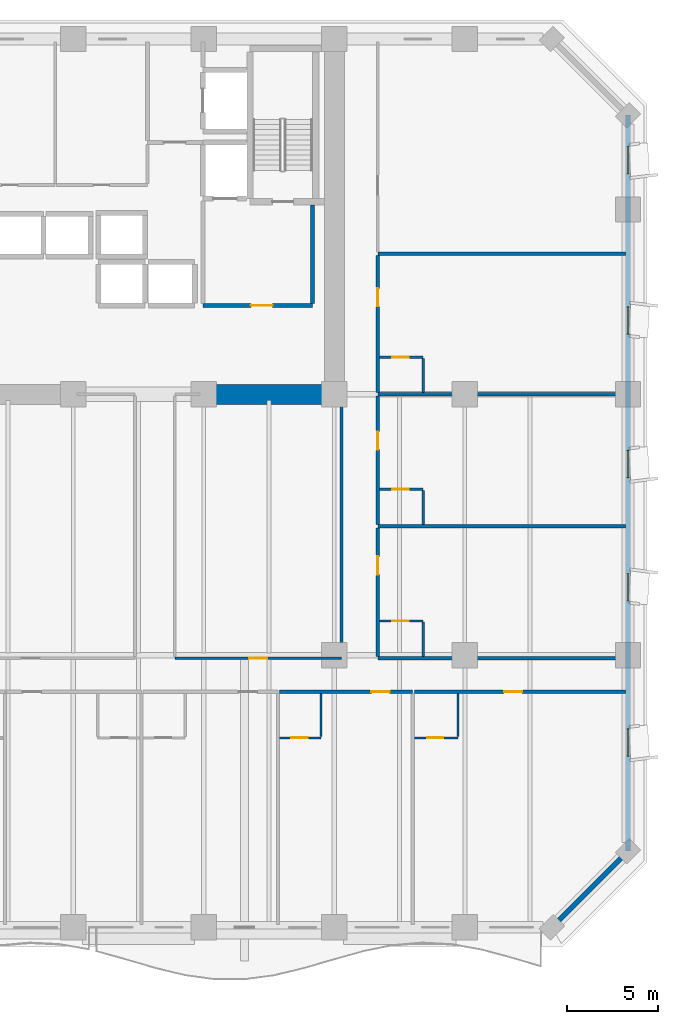
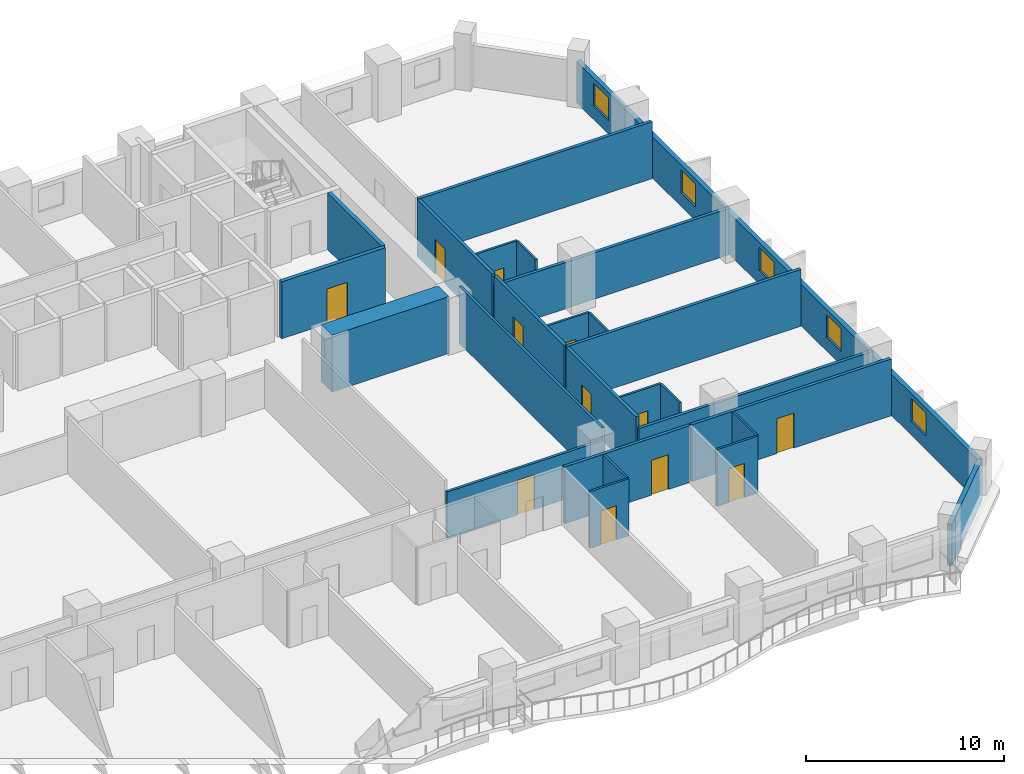
# One storey, part 10 of 15: 26 walls, 12 doors, 5 windows, 17 openings.
"""IFC4 building model written with IfcOpenShell, lengths in metres."""

from ifc_helpers import new_model, si_unit, direction, frame, frame_2d, origin, place, context, subcontext, project, spatial, rectangle, extrude, material, layer, layer_set, type_object, element, fill, save


model = new_model("IFC4")

# Units and contexts
model_context = context("Model", 3, precision=1e-05, world=origin(), true_north=direction((0.0, 1.0)))
body_context = subcontext(model_context, "Body", "Model", "MODEL_VIEW")
ifc_project = project(units=[si_unit("LENGTHUNIT", "METRE"), si_unit("AREAUNIT", "SQUARE_METRE"), si_unit("VOLUMEUNIT", "CUBIC_METRE"), si_unit("PLANEANGLEUNIT", "RADIAN"), si_unit("MASSUNIT", "GRAM", prefix="KILO")], contexts=[model_context])

# Site, building, storey
site_placement = place(None, origin())
site = spatial("IfcSite", under=ifc_project, at=site_placement, CompositionType="ELEMENT")
building_placement = place(site_placement, origin())
building = spatial("IfcBuilding", under=site, at=building_placement, Name="Kaelvorn Grand Hotel", CompositionType="ELEMENT")
storey_placement = place(building_placement, frame((0.0, 0.0, 65.14990234375)))
storey = spatial("IfcBuildingStorey", under=building, at=storey_placement, Name="L14", CompositionType="ELEMENT", Elevation=65.14990234375)

# Walls
ifc_material_1 = material(Name="Concrete C80/95", Category="concrete")
ifc_layer_1 = layer(ifc_material_1, 1.10009765625)
ifc_layer_set_1 = layer_set([ifc_layer_1], Name="Concrete C80/95")
wall_type_1 = type_object("IfcWallType", Name="WL-CORE-1100-C80", PredefinedType="SHEAR", material=ifc_layer_set_1)
wall_1_placement = place(storey_placement, frame((60.39990234375, 29.39990234375, 0.0), z_axis=(0.0, 0.0, 1.0), x_axis=(1.0, 0.0, 0.0)))
element("IfcWall", 1, at=wall_1_placement, inside=storey, type_object=wall_type_1, Name="L14 Rear-Core Coupled Shear Pier S4", PredefinedType="SHEAR", context=body_context, shape_type="SweptSolid", body=[
    extrude(rectangle(XDim=6.84521484375, YDim=1.10009765625, at=frame_2d((3.422607421875, 0.0))), origin(), (0.0, 0.0, 1.0), 3.510009765625),
])
ifc_material_2 = material(Name="Concrete C40/50", Category="concrete")
ifc_layer_2 = layer(ifc_material_2, 0.260009765625)
ifc_layer_set_2 = layer_set([ifc_layer_2], Name="Concrete C40/50")
wall_type_2 = type_object("IfcWallType", Name="WL-EXT-260-C40", PredefinedType="SOLIDWALL", material=ifc_layer_set_2)
wall_2_placement = place(storey_placement, frame((79.800048828125, 0.0, 0.0), z_axis=(0.0, 0.0, 1.0), x_axis=(0.707106781187, 0.707106781187, 0.0)))
element("IfcWall", 2, at=wall_2_placement, inside=storey, type_object=wall_type_2, Name="L14 Exterior Architectural Concrete Wall 02", PredefinedType="SOLIDWALL", context=body_context, shape_type="SweptSolid", body=[
    extrude(rectangle(XDim=5.939697265625, YDim=0.260009765625, at=frame_2d((2.9697265625, 0.0))), origin(), (0.0, 0.0, 1.0), 2.56005859375),
])

# Wall, openings, windows
wall_3_placement = place(storey_placement, frame((84.0, 4.199951171875, 0.0), z_axis=(0.0, 0.0, 1.0), x_axis=(0.0, 1.0, 0.0)))
wall_3 = element("IfcWall", 3, at=wall_3_placement, inside=storey, type_object=wall_type_2, Name="L14 Exterior Architectural Concrete Wall 03", PredefinedType="SOLIDWALL", context=body_context, shape_type="SweptSolid", body=[
    extrude(rectangle(XDim=40.60009765625, YDim=0.260009765625, at=frame_2d((20.300048828125, 0.0))), origin(), (0.0, 0.0, 1.0), 2.56005859375),
])
opening_1_placement = place(wall_3_placement, frame((5.25, 0.0, 0.85009765625)))
opening_1 = element("IfcOpeningElement", 4, at=opening_1_placement, cuts=wall_3, Name="Opening W10", PredefinedType="OPENING", context=body_context, shape_type="SweptSolid", body=[
    extrude(rectangle(XDim=1.5, YDim=1.39990234375, at=frame_2d((0.75, 0.699951171875))), frame((0.0, 0.14013671875, 0.0), z_axis=(0.0, -1.0, 0.0), x_axis=(1.0, 0.0, 0.0)), (0.0, 0.0, 1.0), 0.280029296875),
])
opening_2_placement = place(wall_3_placement, frame((13.81005859375, 0.0, 0.85009765625)))
opening_2 = element("IfcOpeningElement", 5, at=opening_2_placement, cuts=wall_3, Name="Opening W10", PredefinedType="OPENING", context=body_context, shape_type="SweptSolid", body=[
    extrude(rectangle(XDim=1.5, YDim=1.39990234375, at=frame_2d((0.75, 0.699951171875))), frame((0.0, 0.14013671875, 0.0), z_axis=(0.0, -1.0, 0.0), x_axis=(1.0, 0.0, 0.0)), (0.0, 0.0, 1.0), 0.280029296875),
])
opening_3_placement = place(wall_3_placement, frame((20.610107421875, 0.0, 0.85009765625)))
opening_3 = element("IfcOpeningElement", 6, at=opening_3_placement, cuts=wall_3, Name="Opening W10", PredefinedType="OPENING", context=body_context, shape_type="SweptSolid", body=[
    extrude(rectangle(XDim=1.5, YDim=1.39990234375, at=frame_2d((0.75, 0.699951171875))), frame((0.0, 0.14013671875, 0.0), z_axis=(0.0, -1.0, 0.0), x_axis=(1.0, 0.0, 0.0)), (0.0, 0.0, 1.0), 0.280029296875),
])
opening_4_placement = place(wall_3_placement, frame((28.52490234375, 0.0, 0.85009765625)))
opening_4 = element("IfcOpeningElement", 7, at=opening_4_placement, cuts=wall_3, Name="Opening W10", PredefinedType="OPENING", context=body_context, shape_type="SweptSolid", body=[
    extrude(rectangle(XDim=1.5, YDim=1.39990234375, at=frame_2d((0.75, 0.699951171875))), frame((0.0, 0.14013671875, 0.0), z_axis=(0.0, -1.0, 0.0), x_axis=(1.0, 0.0, 0.0)), (0.0, 0.0, 1.0), 0.280029296875),
])
opening_5_placement = place(wall_3_placement, frame((37.364990234375, 0.0, 0.85009765625)))
opening_5 = element("IfcOpeningElement", 8, at=opening_5_placement, cuts=wall_3, Name="Opening W10", PredefinedType="OPENING", context=body_context, shape_type="SweptSolid", body=[
    extrude(rectangle(XDim=1.5, YDim=1.39990234375, at=frame_2d((0.75, 0.699951171875))), frame((0.0, 0.14013671875, 0.0), z_axis=(0.0, -1.0, 0.0), x_axis=(1.0, 0.0, 0.0)), (0.0, 0.0, 1.0), 0.280029296875),
])
ifc_material_3 = material(Name="Laminated Low-E Glass", Category="glass")
window_type = type_object("IfcWindowType", Name="WIN-COR-1500x1400", PartitioningType="SINGLE_PANEL", PredefinedType="WINDOW", material=ifc_material_3)
window_1_placement = place(opening_1_placement, origin())
window_1 = element("IfcWindow", 9, at=window_1_placement, inside=storey, type_object=window_type, Name="L14 E Wing Tilted-Frame Ribbon Window E01", OverallHeight=1.39990234375, OverallWidth=1.5, PartitioningType="SINGLE_PANEL", PredefinedType="WINDOW", context=body_context, shape_type="SweptSolid", body=[
    extrude(rectangle(XDim=1.5, YDim=1.39990234375, at=frame_2d((0.75, 0.699951171875))), frame((0.0, 0.030029296875, 0.0), z_axis=(0.0, -1.0, 0.0), x_axis=(1.0, 0.0, 0.0)), (0.0, 0.0, 1.0), 0.06005859375),
])
fill(opening_1, window_1)
window_2_placement = place(opening_2_placement, origin())
window_2 = element("IfcWindow", 10, at=window_2_placement, inside=storey, type_object=window_type, Name="L14 E Wing Tilted-Frame Ribbon Window E02", OverallHeight=1.39990234375, OverallWidth=1.5, PartitioningType="SINGLE_PANEL", PredefinedType="WINDOW", context=body_context, shape_type="SweptSolid", body=[
    extrude(rectangle(XDim=1.5, YDim=1.39990234375, at=frame_2d((0.75, 0.699951171875))), frame((0.0, 0.030029296875, 0.0), z_axis=(0.0, -1.0, 0.0), x_axis=(1.0, 0.0, 0.0)), (0.0, 0.0, 1.0), 0.06005859375),
])
fill(opening_2, window_2)
window_3_placement = place(opening_3_placement, origin())
window_3 = element("IfcWindow", 11, at=window_3_placement, inside=storey, type_object=window_type, Name="L14 E Wing Tilted-Frame Ribbon Window E03", OverallHeight=1.39990234375, OverallWidth=1.5, PartitioningType="SINGLE_PANEL", PredefinedType="WINDOW", context=body_context, shape_type="SweptSolid", body=[
    extrude(rectangle(XDim=1.5, YDim=1.39990234375, at=frame_2d((0.75, 0.699951171875))), frame((0.0, 0.030029296875, 0.0), z_axis=(0.0, -1.0, 0.0), x_axis=(1.0, 0.0, 0.0)), (0.0, 0.0, 1.0), 0.06005859375),
])
fill(opening_3, window_3)
window_4_placement = place(opening_4_placement, origin())
window_4 = element("IfcWindow", 12, at=window_4_placement, inside=storey, type_object=window_type, Name="L14 E Wing Tilted-Frame Ribbon Window E04", OverallHeight=1.39990234375, OverallWidth=1.5, PartitioningType="SINGLE_PANEL", PredefinedType="WINDOW", context=body_context, shape_type="SweptSolid", body=[
    extrude(rectangle(XDim=1.5, YDim=1.39990234375, at=frame_2d((0.75, 0.699951171875))), frame((0.0, 0.030029296875, 0.0), z_axis=(0.0, -1.0, 0.0), x_axis=(1.0, 0.0, 0.0)), (0.0, 0.0, 1.0), 0.06005859375),
])
fill(opening_4, window_4)
window_5_placement = place(opening_5_placement, origin())
window_5 = element("IfcWindow", 13, at=window_5_placement, inside=storey, type_object=window_type, Name="L14 E Wing Tilted-Frame Ribbon Window E05", OverallHeight=1.39990234375, OverallWidth=1.5, PartitioningType="SINGLE_PANEL", PredefinedType="WINDOW", context=body_context, shape_type="SweptSolid", body=[
    extrude(rectangle(XDim=1.5, YDim=1.39990234375, at=frame_2d((0.75, 0.699951171875))), frame((0.0, 0.030029296875, 0.0), z_axis=(0.0, -1.0, 0.0), x_axis=(1.0, 0.0, 0.0)), (0.0, 0.0, 1.0), 0.06005859375),
])
fill(opening_5, window_5)

# Wall, opening, door
ifc_material_4 = material(Name="Moisture-Resistant Tile & Stud Board")
ifc_layer_3 = layer(ifc_material_4, 0.125)
ifc_layer_set_3 = layer_set([ifc_layer_3], Name="Moisture-Resistant Tile & Stud Board")
wall_type_3 = type_object("IfcWallType", Name="WL-PART-125-WET", PredefinedType="PARTITIONING", material=ifc_layer_set_3)
wall_4_placement = place(storey_placement, frame((64.78564453125, 10.449951171875, 0.0), z_axis=(0.0, 0.0, 1.0), x_axis=(1.0, 0.0, 0.0)))
wall_4 = element("IfcWall", 14, at=wall_4_placement, inside=storey, type_object=wall_type_3, Name="L14 En-suite Bathroom L14-09 S Partition", PredefinedType="PARTITIONING", context=body_context, shape_type="SweptSolid", body=[
    extrude(rectangle(XDim=2.284912109375, YDim=0.125, at=frame_2d((1.142578125, 0.0))), origin(), (0.0, 0.0, 1.0), 3.510009765625),
])
opening_6_placement = place(wall_4_placement, frame((0.64990234375, 0.0, 0.0)))
opening_6 = element("IfcOpeningElement", 15, at=opening_6_placement, cuts=wall_4, Name="Opening DI4", PredefinedType="OPENING", context=body_context, shape_type="SweptSolid", body=[
    extrude(rectangle(XDim=0.89990234375, YDim=2.10009765625, at=frame_2d((0.449951171875, 1.050048828125))), frame((0.0, 0.072509765625, 0.0), z_axis=(0.0, -1.0, 0.0), x_axis=(1.0, 0.0, 0.0)), (0.0, 0.0, 1.0), 0.14501953125),
])
ifc_material_5 = material(Name="Timber Veneer Leaf", Category="wood")
door_type_1 = type_object("IfcDoorType", Name="DR-INT-BATH-900x2100", OperationType="NOTDEFINED", PredefinedType="DOOR", material=ifc_material_5)
door_1_placement = place(opening_6_placement, origin())
door_1 = element("IfcDoor", 16, at=door_1_placement, inside=storey, type_object=door_type_1, Name="L14 En-suite Bathroom L14-09 Door", OperationType="SINGLE_SWING_RIGHT", OverallHeight=2.10009765625, OverallWidth=0.89990234375, PredefinedType="DOOR", context=body_context, shape_type="SweptSolid", body=[
    extrude(rectangle(XDim=0.89990234375, YDim=2.10009765625, at=frame_2d((0.449951171875, 1.050048828125))), frame((0.0, 0.02490234375, 0.0), z_axis=(0.0, -1.0, 0.0), x_axis=(1.0, 0.0, 0.0)), (0.0, 0.0, 1.0), 0.050048828125),
])
fill(opening_6, door_1)

# Wall
wall_5_placement = place(storey_placement, frame((67.070556640625, 10.517578125, 0.0), z_axis=(0.0, 0.0, 1.0), x_axis=(0.0, 1.0, 0.0)))
element("IfcWall", 17, at=wall_5_placement, inside=storey, type_object=wall_type_3, Name="L14 En-suite Bathroom L14-09 E Partition", PredefinedType="PARTITIONING", context=body_context, shape_type="SweptSolid", body=[
    extrude(rectangle(XDim=2.387451171875, YDim=0.125, at=frame_2d((1.19384765625, 0.0))), origin(), (0.0, 0.0, 1.0), 3.510009765625),
])

# Wall, opening, door
wall_6_placement = place(storey_placement, frame((72.21533203125, 10.449951171875, 0.0), z_axis=(0.0, 0.0, 1.0), x_axis=(1.0, 0.0, 0.0)))
wall_6 = element("IfcWall", 18, at=wall_6_placement, inside=storey, type_object=wall_type_3, Name="L14 En-suite Bathroom L14-10 S Partition", PredefinedType="PARTITIONING", context=body_context, shape_type="SweptSolid", body=[
    extrude(rectangle(XDim=2.405029296875, YDim=0.125, at=frame_2d((1.20263671875, 0.0))), origin(), (0.0, 0.0, 1.0), 3.510009765625),
])
opening_7_placement = place(wall_6_placement, frame((0.705078125, 0.0, 0.0)))
opening_7 = element("IfcOpeningElement", 19, at=opening_7_placement, cuts=wall_6, Name="Opening DI4", PredefinedType="OPENING", context=body_context, shape_type="SweptSolid", body=[
    extrude(rectangle(XDim=0.89990234375, YDim=2.10009765625, at=frame_2d((0.449951171875, 1.050048828125))), frame((0.0, 0.072509765625, 0.0), z_axis=(0.0, -1.0, 0.0), x_axis=(1.0, 0.0, 0.0)), (0.0, 0.0, 1.0), 0.14501953125),
])
door_2_placement = place(opening_7_placement, origin())
door_2 = element("IfcDoor", 20, at=door_2_placement, inside=storey, type_object=door_type_1, Name="L14 En-suite Bathroom L14-10 Door", OperationType="SINGLE_SWING_RIGHT", OverallHeight=2.10009765625, OverallWidth=0.89990234375, PredefinedType="DOOR", context=body_context, shape_type="SweptSolid", body=[
    extrude(rectangle(XDim=0.89990234375, YDim=2.10009765625, at=frame_2d((0.449951171875, 1.050048828125))), frame((0.0, 0.02490234375, 0.0), z_axis=(0.0, -1.0, 0.0), x_axis=(1.0, 0.0, 0.0)), (0.0, 0.0, 1.0), 0.050048828125),
])
fill(opening_7, door_2)

# Wall
wall_7_placement = place(storey_placement, frame((74.620361328125, 10.517578125, 0.0), z_axis=(0.0, 0.0, 1.0), x_axis=(0.0, 1.0, 0.0)))
element("IfcWall", 21, at=wall_7_placement, inside=storey, type_object=wall_type_3, Name="L14 En-suite Bathroom L14-10 E Partition", PredefinedType="PARTITIONING", context=body_context, shape_type="SweptSolid", body=[
    extrude(rectangle(XDim=2.387451171875, YDim=0.125, at=frame_2d((1.19384765625, 0.0))), origin(), (0.0, 0.0, 1.0), 3.510009765625),
])

# Wall, opening, door
wall_8_placement = place(storey_placement, frame((70.294921875, 16.89990234375, 0.0), z_axis=(0.0, 0.0, 1.0), x_axis=(1.0, 0.0, 0.0)))
wall_8 = element("IfcWall", 22, at=wall_8_placement, inside=storey, type_object=wall_type_3, Name="L14 En-suite Bathroom L14-13 N Partition", PredefinedType="PARTITIONING", context=body_context, shape_type="SweptSolid", body=[
    extrude(rectangle(XDim=2.405029296875, YDim=0.125, at=frame_2d((1.20263671875, 0.0))), origin(), (0.0, 0.0, 1.0), 3.510009765625),
])
opening_8_placement = place(wall_8_placement, frame((0.705078125, 0.0, 0.0)))
opening_8 = element("IfcOpeningElement", 23, at=opening_8_placement, cuts=wall_8, Name="Opening DI4", PredefinedType="OPENING", context=body_context, shape_type="SweptSolid", body=[
    extrude(rectangle(XDim=0.89990234375, YDim=2.10009765625, at=frame_2d((0.449951171875, 1.050048828125))), frame((0.0, 0.072509765625, 0.0), z_axis=(0.0, -1.0, 0.0), x_axis=(1.0, 0.0, 0.0)), (0.0, 0.0, 1.0), 0.14501953125),
])
door_3_placement = place(opening_8_placement, origin())
door_3 = element("IfcDoor", 24, at=door_3_placement, inside=storey, type_object=door_type_1, Name="L14 En-suite Bathroom L14-13 Door", OperationType="SINGLE_SWING_LEFT", OverallHeight=2.10009765625, OverallWidth=0.89990234375, PredefinedType="DOOR", context=body_context, shape_type="SweptSolid", body=[
    extrude(rectangle(XDim=0.89990234375, YDim=2.10009765625, at=frame_2d((0.449951171875, 1.050048828125))), frame((0.0, 0.02490234375, 0.0), z_axis=(0.0, -1.0, 0.0), x_axis=(1.0, 0.0, 0.0)), (0.0, 0.0, 1.0), 0.050048828125),
])
fill(opening_8, door_3)

# Wall
wall_9_placement = place(storey_placement, frame((72.699951171875, 14.945068359375, 0.0), z_axis=(0.0, 0.0, 1.0), x_axis=(0.0, 1.0, 0.0)))
element("IfcWall", 25, at=wall_9_placement, inside=storey, type_object=wall_type_3, Name="L14 En-suite Bathroom L14-13 E Partition", PredefinedType="PARTITIONING", context=body_context, shape_type="SweptSolid", body=[
    extrude(rectangle(XDim=1.887451171875, YDim=0.125, at=frame_2d((0.94384765625, 0.0))), origin(), (0.0, 0.0, 1.0), 3.510009765625),
])

# Wall, opening, door
wall_10_placement = place(storey_placement, frame((70.294921875, 24.169921875, 0.0), z_axis=(0.0, 0.0, 1.0), x_axis=(1.0, 0.0, 0.0)))
wall_10 = element("IfcWall", 26, at=wall_10_placement, inside=storey, type_object=wall_type_3, Name="L14 En-suite Bathroom L14-14 N Partition", PredefinedType="PARTITIONING", context=body_context, shape_type="SweptSolid", body=[
    extrude(rectangle(XDim=2.405029296875, YDim=0.125, at=frame_2d((1.20263671875, 0.0))), origin(), (0.0, 0.0, 1.0), 3.510009765625),
])
opening_9_placement = place(wall_10_placement, frame((0.705078125, 0.0, 0.0)))
opening_9 = element("IfcOpeningElement", 27, at=opening_9_placement, cuts=wall_10, Name="Opening DI4", PredefinedType="OPENING", context=body_context, shape_type="SweptSolid", body=[
    extrude(rectangle(XDim=0.89990234375, YDim=2.10009765625, at=frame_2d((0.449951171875, 1.050048828125))), frame((0.0, 0.072509765625, 0.0), z_axis=(0.0, -1.0, 0.0), x_axis=(1.0, 0.0, 0.0)), (0.0, 0.0, 1.0), 0.14501953125),
])
door_4_placement = place(opening_9_placement, origin())
door_4 = element("IfcDoor", 28, at=door_4_placement, inside=storey, type_object=door_type_1, Name="L14 En-suite Bathroom L14-14 Door", OperationType="SINGLE_SWING_LEFT", OverallHeight=2.10009765625, OverallWidth=0.89990234375, PredefinedType="DOOR", context=body_context, shape_type="SweptSolid", body=[
    extrude(rectangle(XDim=0.89990234375, YDim=2.10009765625, at=frame_2d((0.449951171875, 1.050048828125))), frame((0.0, 0.02490234375, 0.0), z_axis=(0.0, -1.0, 0.0), x_axis=(1.0, 0.0, 0.0)), (0.0, 0.0, 1.0), 0.050048828125),
])
fill(opening_9, door_4)

# Wall
wall_11_placement = place(storey_placement, frame((72.699951171875, 22.215087890625, 0.0), z_axis=(0.0, 0.0, 1.0), x_axis=(0.0, 1.0, 0.0)))
element("IfcWall", 29, at=wall_11_placement, inside=storey, type_object=wall_type_3, Name="L14 En-suite Bathroom L14-14 E Partition", PredefinedType="PARTITIONING", context=body_context, shape_type="SweptSolid", body=[
    extrude(rectangle(XDim=1.887451171875, YDim=0.125, at=frame_2d((0.94384765625, 0.0))), origin(), (0.0, 0.0, 1.0), 3.510009765625),
])

# Wall, opening, door
wall_12_placement = place(storey_placement, frame((70.294921875, 31.449951171875, 0.0), z_axis=(0.0, 0.0, 1.0), x_axis=(1.0, 0.0, 0.0)))
wall_12 = element("IfcWall", 30, at=wall_12_placement, inside=storey, type_object=wall_type_3, Name="L14 En-suite Bathroom L14-16 N Partition", PredefinedType="PARTITIONING", context=body_context, shape_type="SweptSolid", body=[
    extrude(rectangle(XDim=2.405029296875, YDim=0.125, at=frame_2d((1.20263671875, 0.0))), origin(), (0.0, 0.0, 1.0), 3.510009765625),
])
opening_10_placement = place(wall_12_placement, frame((0.705078125, 0.0, 0.0)))
opening_10 = element("IfcOpeningElement", 31, at=opening_10_placement, cuts=wall_12, Name="Opening DI4", PredefinedType="OPENING", context=body_context, shape_type="SweptSolid", body=[
    extrude(rectangle(XDim=0.89990234375, YDim=2.10009765625, at=frame_2d((0.449951171875, 1.050048828125))), frame((0.0, 0.072509765625, 0.0), z_axis=(0.0, -1.0, 0.0), x_axis=(1.0, 0.0, 0.0)), (0.0, 0.0, 1.0), 0.14501953125),
])
door_5_placement = place(opening_10_placement, origin())
door_5 = element("IfcDoor", 32, at=door_5_placement, inside=storey, type_object=door_type_1, Name="L14 En-suite Bathroom L14-16 Door", OperationType="SINGLE_SWING_RIGHT", OverallHeight=2.10009765625, OverallWidth=0.89990234375, PredefinedType="DOOR", context=body_context, shape_type="SweptSolid", body=[
    extrude(rectangle(XDim=0.89990234375, YDim=2.10009765625, at=frame_2d((0.449951171875, 1.050048828125))), frame((0.0, 0.02490234375, 0.0), z_axis=(0.0, -1.0, 0.0), x_axis=(1.0, 0.0, 0.0)), (0.0, 0.0, 1.0), 0.050048828125),
])
fill(opening_10, door_5)

# Wall
wall_13_placement = place(storey_placement, frame((72.699951171875, 29.4951171875, 0.0), z_axis=(0.0, 0.0, 1.0), x_axis=(0.0, 1.0, 0.0)))
element("IfcWall", 33, at=wall_13_placement, inside=storey, type_object=wall_type_3, Name="L14 En-suite Bathroom L14-16 E Partition", PredefinedType="PARTITIONING", context=body_context, shape_type="SweptSolid", body=[
    extrude(rectangle(XDim=1.887451171875, YDim=0.125, at=frame_2d((0.94384765625, 0.0))), origin(), (0.0, 0.0, 1.0), 3.510009765625),
])

# Wall, opening, door
ifc_material_6 = material(Name="Acoustic Gypsum & Stud Partition")
ifc_layer_4 = layer(ifc_material_6, 0.14990234375)
ifc_layer_set_4 = layer_set([ifc_layer_4], Name="Acoustic Gypsum & Stud Partition")
wall_type_4 = type_object("IfcWallType", Name="WL-PART-150-EI60", PredefinedType="PARTITIONING", material=ifc_layer_set_4)
wall_14_placement = place(storey_placement, frame((59.0, 14.85009765625, 0.0), z_axis=(0.0, 0.0, 1.0), x_axis=(1.0, 0.0, 0.0)))
wall_14 = element("IfcWall", 34, at=wall_14_placement, inside=storey, type_object=wall_type_4, Name="L14 Executive Meeting Room S Partition", PredefinedType="PARTITIONING", context=body_context, shape_type="SweptSolid", body=[
    extrude(rectangle(XDim=9.199951171875, YDim=0.14990234375, at=frame_2d((4.60009765625, 0.0))), origin(), (0.0, 0.0, 1.0), 2.860107421875),
])
opening_11_placement = place(wall_14_placement, frame((4.10009765625, 0.0, 0.0)))
opening_11 = element("IfcOpeningElement", 35, at=opening_11_placement, cuts=wall_14, Name="Opening DI3", PredefinedType="OPENING", context=body_context, shape_type="SweptSolid", body=[
    extrude(rectangle(XDim=1.0, YDim=2.14990234375, at=frame_2d((0.5, 1.074951171875))), frame((0.0, 0.0849609375, 0.0), z_axis=(0.0, -1.0, 0.0), x_axis=(1.0, 0.0, 0.0)), (0.0, 0.0, 1.0), 0.169921875),
])
ifc_material_7 = material(Name="Timber Veneer Fire Leaf", Category="wood")
door_type_2 = type_object("IfcDoorType", Name="DR-INT-GUEST-1000x2150", OperationType="NOTDEFINED", PredefinedType="DOOR", material=ifc_material_7)
door_6_placement = place(opening_11_placement, origin())
door_6 = element("IfcDoor", 36, at=door_6_placement, inside=storey, type_object=door_type_2, Name="L14 Executive Meeting Room Door", OperationType="SINGLE_SWING_LEFT", OverallHeight=2.14990234375, OverallWidth=1.0, PredefinedType="DOOR", context=body_context, shape_type="SweptSolid", body=[
    extrude(rectangle(XDim=1.0, YDim=2.14990234375, at=frame_2d((0.5, 1.074951171875))), frame((0.0, 0.02490234375, 0.0), z_axis=(0.0, -1.0, 0.0), x_axis=(1.0, 0.0, 0.0)), (0.0, 0.0, 1.0), 0.050048828125),
])
fill(opening_11, door_6)

# Wall
wall_15_placement = place(storey_placement, frame((68.199951171875, 14.929931640625, 0.0), z_axis=(0.0, 0.0, 1.0), x_axis=(0.0, 1.0, 0.0)))
element("IfcWall", 37, at=wall_15_placement, inside=storey, type_object=wall_type_4, Name="L14 Executive Meeting Room E Partition", PredefinedType="PARTITIONING", context=body_context, shape_type="SweptSolid", body=[
    extrude(rectangle(XDim=14.4599609375, YDim=0.14990234375, at=frame_2d((7.22998046875, 0.0))), origin(), (0.0, 0.0, 1.0), 3.510009765625),
])

# Wall, opening, door
ifc_layer_5 = layer(ifc_material_6, 0.179931640625)
ifc_layer_set_5 = layer_set([ifc_layer_5], Name="Acoustic Gypsum & Stud Partition")
wall_type_5 = type_object("IfcWallType", Name="WL-PART-180-EI60", PredefinedType="PARTITIONING", material=ifc_layer_set_5)
wall_16_placement = place(storey_placement, frame((64.78564453125, 13.0, 0.0), z_axis=(0.0, 0.0, 1.0), x_axis=(1.0, 0.0, 0.0)))
wall_16 = element("IfcWall", 38, at=wall_16_placement, inside=storey, type_object=wall_type_5, Name="L14 Deluxe Panoramic Suite L14-09 N Partition", PredefinedType="PARTITIONING", context=body_context, shape_type="SweptSolid", body=[
    extrude(rectangle(XDim=7.334716796875, YDim=0.179931640625, at=frame_2d((3.66748046875, 0.0))), origin(), (0.0, 0.0, 1.0), 3.510009765625),
])
opening_12_placement = place(wall_16_placement, frame((5.064453125, 0.0, 0.0)))
opening_12 = element("IfcOpeningElement", 39, at=opening_12_placement, cuts=wall_16, Name="Opening DI3", PredefinedType="OPENING", context=body_context, shape_type="SweptSolid", body=[
    extrude(rectangle(XDim=1.0, YDim=2.14990234375, at=frame_2d((0.5, 1.074951171875))), frame((0.0, 0.10009765625, 0.0), z_axis=(0.0, -1.0, 0.0), x_axis=(1.0, 0.0, 0.0)), (0.0, 0.0, 1.0), 0.199951171875),
])
door_7_placement = place(opening_12_placement, origin())
door_7 = element("IfcDoor", 40, at=door_7_placement, inside=storey, type_object=door_type_2, Name="L14 Deluxe Panoramic Suite L14-09 Door", OperationType="SINGLE_SWING_LEFT", OverallHeight=2.14990234375, OverallWidth=1.0, PredefinedType="DOOR", context=body_context, shape_type="SweptSolid", body=[
    extrude(rectangle(XDim=1.0, YDim=2.14990234375, at=frame_2d((0.5, 1.074951171875))), frame((0.0, 0.02490234375, 0.0), z_axis=(0.0, -1.0, 0.0), x_axis=(1.0, 0.0, 0.0)), (0.0, 0.0, 1.0), 0.050048828125),
])
fill(opening_12, door_7)

wall_17_placement = place(storey_placement, frame((72.21533203125, 13.0, 0.0), z_axis=(0.0, 0.0, 1.0), x_axis=(1.0, 0.0, 0.0)))
wall_17 = element("IfcWall", 41, at=wall_17_placement, inside=storey, type_object=wall_type_5, Name="L14 Deluxe Panoramic Suite L14-10 N Partition", PredefinedType="PARTITIONING", context=body_context, shape_type="SweptSolid", body=[
    extrude(rectangle(XDim=11.634765625, YDim=0.179931640625, at=frame_2d((5.8173828125, 0.0))), origin(), (0.0, 0.0, 1.0), 3.510009765625),
])
opening_13_placement = place(wall_17_placement, frame((4.94970703125, 0.0, 0.0)))
opening_13 = element("IfcOpeningElement", 42, at=opening_13_placement, cuts=wall_17, Name="Opening DI3", PredefinedType="OPENING", context=body_context, shape_type="SweptSolid", body=[
    extrude(rectangle(XDim=1.0, YDim=2.14990234375, at=frame_2d((0.5, 1.074951171875))), frame((0.0, 0.10009765625, 0.0), z_axis=(0.0, -1.0, 0.0), x_axis=(1.0, 0.0, 0.0)), (0.0, 0.0, 1.0), 0.199951171875),
])
door_8_placement = place(opening_13_placement, origin())
door_8 = element("IfcDoor", 43, at=door_8_placement, inside=storey, type_object=door_type_2, Name="L14 Deluxe Panoramic Suite L14-10 Door", OperationType="SINGLE_SWING_LEFT", OverallHeight=2.14990234375, OverallWidth=1.0, PredefinedType="DOOR", context=body_context, shape_type="SweptSolid", body=[
    extrude(rectangle(XDim=1.0, YDim=2.14990234375, at=frame_2d((0.5, 1.074951171875))), frame((0.0, 0.02490234375, 0.0), z_axis=(0.0, -1.0, 0.0), x_axis=(1.0, 0.0, 0.0)), (0.0, 0.0, 1.0), 0.050048828125),
])
fill(opening_13, door_8)

# Walls
wall_18_placement = place(storey_placement, frame((70.199951171875, 14.85009765625, 0.0), z_axis=(0.0, 0.0, 1.0), x_axis=(1.0, 0.0, 0.0)))
element("IfcWall", 44, at=wall_18_placement, inside=storey, type_object=wall_type_5, Name="L14 East Wing Panoramic Suite L14-13 S Partition", PredefinedType="PARTITIONING", context=body_context, shape_type="SweptSolid", body=[
    extrude(rectangle(XDim=13.650146484375, YDim=0.179931640625, at=frame_2d((6.8251953125, 0.0))), origin(), (0.0, 0.0, 1.0), 2.860107421875),
])
wall_19_placement = place(storey_placement, frame((70.199951171875, 22.1201171875, 0.0), z_axis=(0.0, 0.0, 1.0), x_axis=(1.0, 0.0, 0.0)))
element("IfcWall", 45, at=wall_19_placement, inside=storey, type_object=wall_type_5, Name="L14 East Wing Panoramic Suite L14-13 N Partition", PredefinedType="PARTITIONING", context=body_context, shape_type="SweptSolid", body=[
    extrude(rectangle(XDim=13.650146484375, YDim=0.179931640625, at=frame_2d((6.8251953125, 0.0))), origin(), (0.0, 0.0, 1.0), 3.510009765625),
])

# Wall, opening, door
wall_20_placement = place(storey_placement, frame((70.199951171875, 14.945068359375, 0.0), z_axis=(0.0, 0.0, 1.0), x_axis=(0.0, 1.0, 0.0)))
wall_20 = element("IfcWall", 46, at=wall_20_placement, inside=storey, type_object=wall_type_5, Name="L14 East Wing Panoramic Suite L14-13 W Partition", PredefinedType="PARTITIONING", context=body_context, shape_type="SweptSolid", body=[
    extrude(rectangle(XDim=7.079833984375, YDim=0.179931640625, at=frame_2d((3.5400390625, 0.0))), origin(), (0.0, 0.0, 1.0), 3.510009765625),
])
opening_14_placement = place(wall_20_placement, frame((4.514892578125, 0.0, 0.0)))
opening_14 = element("IfcOpeningElement", 47, at=opening_14_placement, cuts=wall_20, Name="Opening DI3", PredefinedType="OPENING", context=body_context, shape_type="SweptSolid", body=[
    extrude(rectangle(XDim=1.0, YDim=2.14990234375, at=frame_2d((0.5, 1.074951171875))), frame((0.0, 0.10009765625, 0.0), z_axis=(0.0, -1.0, 0.0), x_axis=(1.0, 0.0, 0.0)), (0.0, 0.0, 1.0), 0.199951171875),
])
door_9_placement = place(opening_14_placement, origin())
door_9 = element("IfcDoor", 48, at=door_9_placement, inside=storey, type_object=door_type_2, Name="L14 East Wing Panoramic Suite L14-13 Door", OperationType="SINGLE_SWING_RIGHT", OverallHeight=2.14990234375, OverallWidth=1.0, PredefinedType="DOOR", context=body_context, shape_type="SweptSolid", body=[
    extrude(rectangle(XDim=1.0, YDim=2.14990234375, at=frame_2d((0.5, 1.074951171875))), frame((0.0, 0.02490234375, 0.0), z_axis=(0.0, -1.0, 0.0), x_axis=(1.0, 0.0, 0.0)), (0.0, 0.0, 1.0), 0.050048828125),
])
fill(opening_14, door_9)

# Wall
wall_21_placement = place(storey_placement, frame((70.199951171875, 29.39990234375, 0.0), z_axis=(0.0, 0.0, 1.0), x_axis=(1.0, 0.0, 0.0)))
element("IfcWall", 49, at=wall_21_placement, inside=storey, type_object=wall_type_5, Name="L14 East Mid-Wing Suite L14-14 N Partition", PredefinedType="PARTITIONING", context=body_context, shape_type="SweptSolid", body=[
    extrude(rectangle(XDim=13.650146484375, YDim=0.179931640625, at=frame_2d((6.8251953125, 0.0))), origin(), (0.0, 0.0, 1.0), 2.860107421875),
])

# Wall, opening, door
wall_22_placement = place(storey_placement, frame((70.199951171875, 22.215087890625, 0.0), z_axis=(0.0, 0.0, 1.0), x_axis=(0.0, 1.0, 0.0)))
wall_22 = element("IfcWall", 50, at=wall_22_placement, inside=storey, type_object=wall_type_5, Name="L14 East Mid-Wing Suite L14-14 W Partition", PredefinedType="PARTITIONING", context=body_context, shape_type="SweptSolid", body=[
    extrude(rectangle(XDim=7.08984375, YDim=0.179931640625, at=frame_2d((3.544921875, 0.0))), origin(), (0.0, 0.0, 1.0), 3.510009765625),
])
opening_15_placement = place(wall_22_placement, frame((4.1298828125, 0.0, 0.0)))
opening_15 = element("IfcOpeningElement", 51, at=opening_15_placement, cuts=wall_22, Name="Opening DI3", PredefinedType="OPENING", context=body_context, shape_type="SweptSolid", body=[
    extrude(rectangle(XDim=1.0, YDim=2.14990234375, at=frame_2d((0.5, 1.074951171875))), frame((0.0, 0.10009765625, 0.0), z_axis=(0.0, -1.0, 0.0), x_axis=(1.0, 0.0, 0.0)), (0.0, 0.0, 1.0), 0.199951171875),
])
door_10_placement = place(opening_15_placement, origin())
door_10 = element("IfcDoor", 52, at=door_10_placement, inside=storey, type_object=door_type_2, Name="L14 East Mid-Wing Suite L14-14 Door", OperationType="SINGLE_SWING_RIGHT", OverallHeight=2.14990234375, OverallWidth=1.0, PredefinedType="DOOR", context=body_context, shape_type="SweptSolid", body=[
    extrude(rectangle(XDim=1.0, YDim=2.14990234375, at=frame_2d((0.5, 1.074951171875))), frame((0.0, 0.02490234375, 0.0), z_axis=(0.0, -1.0, 0.0), x_axis=(1.0, 0.0, 0.0)), (0.0, 0.0, 1.0), 0.050048828125),
])
fill(opening_15, door_10)

# Wall
wall_23_placement = place(storey_placement, frame((70.199951171875, 37.14990234375, 0.0), z_axis=(0.0, 0.0, 1.0), x_axis=(1.0, 0.0, 0.0)))
element("IfcWall", 53, at=wall_23_placement, inside=storey, type_object=wall_type_5, Name="L14 North-East Wing Suite L14-16 N Partition", PredefinedType="PARTITIONING", context=body_context, shape_type="SweptSolid", body=[
    extrude(rectangle(XDim=13.650146484375, YDim=0.179931640625, at=frame_2d((6.8251953125, 0.0))), origin(), (0.0, 0.0, 1.0), 3.510009765625),
])

# Wall, opening, door
wall_24_placement = place(storey_placement, frame((70.199951171875, 29.4951171875, 0.0), z_axis=(0.0, 0.0, 1.0), x_axis=(0.0, 1.0, 0.0)))
wall_24 = element("IfcWall", 54, at=wall_24_placement, inside=storey, type_object=wall_type_5, Name="L14 North-East Wing Suite L14-16 W Partition", PredefinedType="PARTITIONING", context=body_context, shape_type="SweptSolid", body=[
    extrude(rectangle(XDim=7.559814453125, YDim=0.179931640625, at=frame_2d((3.77978515625, 0.0))), origin(), (0.0, 0.0, 1.0), 3.510009765625),
])
opening_16_placement = place(wall_24_placement, frame((4.7548828125, 0.0, 0.0)))
opening_16 = element("IfcOpeningElement", 55, at=opening_16_placement, cuts=wall_24, Name="Opening DI3", PredefinedType="OPENING", context=body_context, shape_type="SweptSolid", body=[
    extrude(rectangle(XDim=1.0, YDim=2.14990234375, at=frame_2d((0.5, 1.074951171875))), frame((0.0, 0.10009765625, 0.0), z_axis=(0.0, -1.0, 0.0), x_axis=(1.0, 0.0, 0.0)), (0.0, 0.0, 1.0), 0.199951171875),
])
door_11_placement = place(opening_16_placement, origin())
door_11 = element("IfcDoor", 56, at=door_11_placement, inside=storey, type_object=door_type_2, Name="L14 North-East Wing Suite L14-16 Door", OperationType="SINGLE_SWING_LEFT", OverallHeight=2.14990234375, OverallWidth=1.0, PredefinedType="DOOR", context=body_context, shape_type="SweptSolid", body=[
    extrude(rectangle(XDim=1.0, YDim=2.14990234375, at=frame_2d((0.5, 1.074951171875))), frame((0.0, 0.02490234375, 0.0), z_axis=(0.0, -1.0, 0.0), x_axis=(1.0, 0.0, 0.0)), (0.0, 0.0, 1.0), 0.050048828125),
])
fill(opening_16, door_11)

ifc_layer_6 = layer(ifc_material_2, 0.219970703125)
ifc_layer_set_6 = layer_set([ifc_layer_6], Name="Concrete C40/50")
wall_type_6 = type_object("IfcWallType", Name="WL-PART-220-EI120", PredefinedType="PARTITIONING", material=ifc_layer_set_6)
wall_25_placement = place(storey_placement, frame((60.550048828125, 34.300048828125, 0.0), z_axis=(0.0, 0.0, 1.0), x_axis=(1.0, 0.0, 0.0)))
wall_25 = element("IfcWall", 57, at=wall_25_placement, inside=storey, type_object=wall_type_6, Name="L14 Firefighting Lift Lobby 2 S Partition", PredefinedType="PARTITIONING", context=body_context, shape_type="SweptSolid", body=[
    extrude(rectangle(XDim=6.050048828125, YDim=0.219970703125, at=frame_2d((3.02490234375, 0.0))), origin(), (0.0, 0.0, 1.0), 3.510009765625),
])
opening_17_placement = place(wall_25_placement, frame((2.64990234375, 0.0, 0.0)))
opening_17 = element("IfcOpeningElement", 58, at=opening_17_placement, cuts=wall_25, Name="Opening DI2", PredefinedType="OPENING", context=body_context, shape_type="SweptSolid", body=[
    extrude(rectangle(XDim=1.199951171875, YDim=2.14990234375, at=frame_2d((0.60009765625, 1.074951171875))), frame((0.0, 0.1201171875, 0.0), z_axis=(0.0, -1.0, 0.0), x_axis=(1.0, 0.0, 0.0)), (0.0, 0.0, 1.0), 0.239990234375),
])
door_type_3 = type_object("IfcDoorType", Name="DR-INT-FFLOB-1200x2150", OperationType="NOTDEFINED", PredefinedType="DOOR", material=ifc_material_7)
door_12_placement = place(opening_17_placement, origin())
door_12 = element("IfcDoor", 59, at=door_12_placement, inside=storey, type_object=door_type_3, Name="L14 Firefighting Lift Lobby 2 Door", OperationType="SINGLE_SWING_LEFT", OverallHeight=2.14990234375, OverallWidth=1.199951171875, PredefinedType="DOOR", context=body_context, shape_type="SweptSolid", body=[
    extrude(rectangle(XDim=1.199951171875, YDim=2.14990234375, at=frame_2d((0.60009765625, 1.074951171875))), frame((0.0, 0.02490234375, 0.0), z_axis=(0.0, -1.0, 0.0), x_axis=(1.0, 0.0, 0.0)), (0.0, 0.0, 1.0), 0.050048828125),
])
fill(opening_17, door_12)

# Wall
wall_26_placement = place(storey_placement, frame((66.60009765625, 34.4150390625, 0.0), z_axis=(0.0, 0.0, 1.0), x_axis=(0.0, 1.0, 0.0)))
element("IfcWall", 60, at=wall_26_placement, inside=storey, type_object=wall_type_6, Name="L14 Firefighting Lift Lobby 2 E Partition", PredefinedType="PARTITIONING", context=body_context, shape_type="SweptSolid", body=[
    extrude(rectangle(XDim=5.429931640625, YDim=0.219970703125, at=frame_2d((2.71484375, 0.0))), origin(), (0.0, 0.0, 1.0), 3.510009765625),
])

save(model, "model.ifc")
